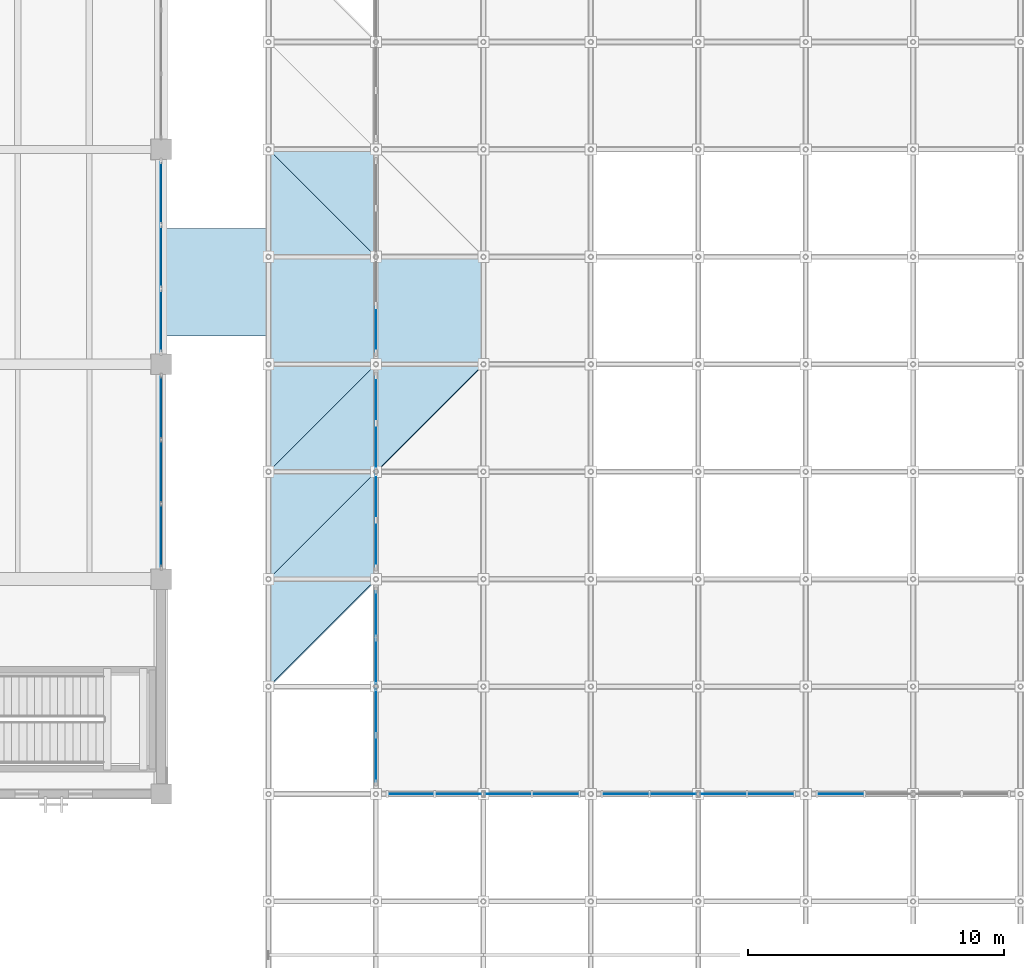
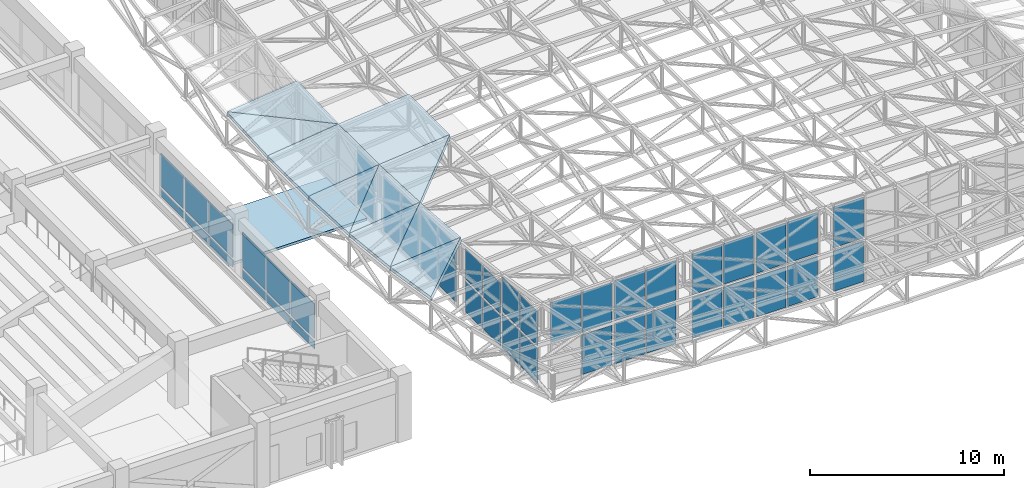
# One storey, part 62 of 132: 42 plates, 11 slabs, 12 elements without a shape of their own.
"""IFC4 building model written with IfcOpenShell, lengths in metres."""

from ifc_helpers import new_model, si_unit, direction, frame, origin, origin_2d, place, context, subcontext, project, spatial, polyline, rectangle, outline, extrude, material, layer, layer_set, type_object, element, aggregate, save


model = new_model("IFC4")

# Units and contexts
model_context = context("Model", 3, precision=1e-05, world=origin(), true_north=direction((0.0, 1.0)))
body_context = subcontext(model_context, "Body", "Model", "MODEL_VIEW")
ifc_project = project(units=[si_unit("LENGTHUNIT", "METRE"), si_unit("AREAUNIT", "SQUARE_METRE"), si_unit("VOLUMEUNIT", "CUBIC_METRE"), si_unit("PLANEANGLEUNIT", "RADIAN"), si_unit("MASSUNIT", "GRAM", prefix="KILO")], contexts=[model_context])

# Site, building, storey
site_placement = place(None, origin())
site = spatial("IfcSite", under=ifc_project, at=site_placement, CompositionType="ELEMENT")
building_placement = place(site_placement, origin())
building = spatial("IfcBuilding", under=site, at=building_placement, Name="Cumbredor Promenade Congress Hotel", CompositionType="ELEMENT")
storey_placement = place(building_placement, frame((0.0, 0.0, 7.56005859375)))
storey = spatial("IfcBuildingStorey", under=building, at=storey_placement, Name="L02", CompositionType="ELEMENT", Elevation=7.56005859375)

# Curtain wall, plates
ifc_material_1 = material(Name="Thermally broken anodized aluminium and low-E glass", Category="aluminium")
curtain_wall_type_1 = type_object("IfcCurtainWallType", Name="Stepped Pavilion Clerestory Curtain Wall CW-06", PredefinedType="NOTDEFINED", material=ifc_material_1)
curtain_wall_1_placement = place(storey_placement, origin())
curtain_wall_1 = element("IfcCurtainWall", 1, at=curtain_wall_1_placement, inside=storey, type_object=curtain_wall_type_1, Name="Thermal Spa and Hydrotherapy Pavilion S Glazed Clerestory 1", PredefinedType="NOTDEFINED")
ifc_material_2 = material(Name="Laminated low-E solar-control glass", Category="glass")
ifc_layer_1 = layer(ifc_material_2, 0.031982421875, Name="Laminated low-E solar-control glass", Category="glass")
ifc_layer_set_1 = layer_set([ifc_layer_1], Name="Laminated low-E solar-control glass")
plate_type_1 = type_object("IfcPlateType", Name="Clerestory Glazed Vision Panel PNL-07", PredefinedType="CURTAIN_PANEL", material=ifc_layer_set_1)
plate_1_placement = place(storey_placement, frame((76.969970703125, 8.39990234375, 2.83984375), z_axis=(0.0, 0.0, 1.0), x_axis=(1.0, 0.0, 0.0)))
plate_1 = element("IfcPlate", 2, at=plate_1_placement, type_object=plate_type_1, Name="Thermal Spa and Hydrotherapy Pavilion S Glazed Clerestory 1 Glazing Panel 1.2", PredefinedType="CURTAIN_PANEL", context=body_context, shape_type="SweptSolid", body=[
    extrude(rectangle(XDim=1.77490234375, YDim=0.031982421875, at=origin_2d()), origin(), (0.0, 0.0, 1.0), 2.5),
])
plate_2_placement = place(storey_placement, frame((78.830078125, 8.39990234375, 0.169921875), z_axis=(0.0, 0.0, 1.0), x_axis=(1.0, 0.0, 0.0)))
plate_2 = element("IfcPlate", 3, at=plate_2_placement, type_object=plate_type_1, Name="Thermal Spa and Hydrotherapy Pavilion S Glazed Clerestory 1 Glazing Panel 2.1", PredefinedType="CURTAIN_PANEL", context=body_context, shape_type="SweptSolid", body=[
    extrude(rectangle(XDim=1.77490234375, YDim=0.031982421875, at=origin_2d()), origin(), (0.0, 0.0, 1.0), 2.489990234375),
])
plate_3_placement = place(storey_placement, frame((78.830078125, 8.39990234375, 2.83984375), z_axis=(0.0, 0.0, 1.0), x_axis=(1.0, 0.0, 0.0)))
plate_3 = element("IfcPlate", 4, at=plate_3_placement, type_object=plate_type_1, Name="Thermal Spa and Hydrotherapy Pavilion S Glazed Clerestory 1 Glazing Panel 2.2", PredefinedType="CURTAIN_PANEL", context=body_context, shape_type="SweptSolid", body=[
    extrude(rectangle(XDim=1.77490234375, YDim=0.031982421875, at=origin_2d()), origin(), (0.0, 0.0, 1.0), 2.5),
])
aggregate(curtain_wall_1, [plate_1, plate_2, plate_3])

curtain_wall_2_placement = place(storey_placement, origin())
curtain_wall_2 = element("IfcCurtainWall", 5, at=curtain_wall_2_placement, inside=storey, type_object=curtain_wall_type_1, Name="Thermal Spa and Hydrotherapy Pavilion S Glazed Clerestory 2", PredefinedType="NOTDEFINED")
plate_4_placement = place(storey_placement, frame((80.77001953125, 8.39990234375, 0.169921875), z_axis=(0.0, 0.0, 1.0), x_axis=(1.0, 0.0, 0.0)))
plate_4 = element("IfcPlate", 6, at=plate_4_placement, type_object=plate_type_1, Name="Thermal Spa and Hydrotherapy Pavilion S Glazed Clerestory 2 Glazing Panel 1.1", PredefinedType="CURTAIN_PANEL", context=body_context, shape_type="SweptSolid", body=[
    extrude(rectangle(XDim=1.77490234375, YDim=0.031982421875, at=origin_2d()), origin(), (0.0, 0.0, 1.0), 2.530029296875),
])
plate_5_placement = place(storey_placement, frame((80.77001953125, 8.39990234375, 2.8798828125), z_axis=(0.0, 0.0, 1.0), x_axis=(1.0, 0.0, 0.0)))
plate_5 = element("IfcPlate", 7, at=plate_5_placement, type_object=plate_type_1, Name="Thermal Spa and Hydrotherapy Pavilion S Glazed Clerestory 2 Glazing Panel 1.2", PredefinedType="CURTAIN_PANEL", context=body_context, shape_type="SweptSolid", body=[
    extrude(rectangle(XDim=1.77490234375, YDim=0.031982421875, at=origin_2d()), origin(), (0.0, 0.0, 1.0), 2.52001953125),
])
plate_6_placement = place(storey_placement, frame((82.6298828125, 8.39990234375, 0.169921875), z_axis=(0.0, 0.0, 1.0), x_axis=(1.0, 0.0, 0.0)))
plate_6 = element("IfcPlate", 8, at=plate_6_placement, type_object=plate_type_1, Name="Thermal Spa and Hydrotherapy Pavilion S Glazed Clerestory 2 Glazing Panel 2.1", PredefinedType="CURTAIN_PANEL", context=body_context, shape_type="SweptSolid", body=[
    extrude(rectangle(XDim=1.77490234375, YDim=0.031982421875, at=origin_2d()), origin(), (0.0, 0.0, 1.0), 2.530029296875),
])
plate_7_placement = place(storey_placement, frame((82.6298828125, 8.39990234375, 2.8798828125), z_axis=(0.0, 0.0, 1.0), x_axis=(1.0, 0.0, 0.0)))
plate_7 = element("IfcPlate", 9, at=plate_7_placement, type_object=plate_type_1, Name="Thermal Spa and Hydrotherapy Pavilion S Glazed Clerestory 2 Glazing Panel 2.2", PredefinedType="CURTAIN_PANEL", context=body_context, shape_type="SweptSolid", body=[
    extrude(rectangle(XDim=1.77490234375, YDim=0.031982421875, at=origin_2d()), origin(), (0.0, 0.0, 1.0), 2.52001953125),
])
aggregate(curtain_wall_2, [plate_4, plate_5, plate_6, plate_7])

curtain_wall_3_placement = place(storey_placement, origin())
curtain_wall_3 = element("IfcCurtainWall", 10, at=curtain_wall_3_placement, inside=storey, type_object=curtain_wall_type_1, Name="Thermal Spa and Hydrotherapy Pavilion S Glazed Clerestory 3", PredefinedType="NOTDEFINED")
plate_8_placement = place(storey_placement, frame((85.3701171875, 8.39990234375, 0.169921875), z_axis=(0.0, 0.0, 1.0), x_axis=(1.0, 0.0, 0.0)))
plate_8 = element("IfcPlate", 11, at=plate_8_placement, type_object=plate_type_1, Name="Thermal Spa and Hydrotherapy Pavilion S Glazed Clerestory 3 Glazing Panel 1.1", PredefinedType="CURTAIN_PANEL", context=body_context, shape_type="SweptSolid", body=[
    extrude(rectangle(XDim=1.77490234375, YDim=0.031982421875, at=origin_2d()), origin(), (0.0, 0.0, 1.0), 2.550048828125),
])
plate_9_placement = place(storey_placement, frame((85.3701171875, 8.39990234375, 2.89990234375), z_axis=(0.0, 0.0, 1.0), x_axis=(1.0, 0.0, 0.0)))
plate_9 = element("IfcPlate", 12, at=plate_9_placement, type_object=plate_type_1, Name="Thermal Spa and Hydrotherapy Pavilion S Glazed Clerestory 3 Glazing Panel 1.2", PredefinedType="CURTAIN_PANEL", context=body_context, shape_type="SweptSolid", body=[
    extrude(rectangle(XDim=1.77490234375, YDim=0.031982421875, at=origin_2d()), origin(), (0.0, 0.0, 1.0), 2.550048828125),
])
plate_10_placement = place(storey_placement, frame((87.22998046875, 8.39990234375, 0.169921875), z_axis=(0.0, 0.0, 1.0), x_axis=(1.0, 0.0, 0.0)))
plate_10 = element("IfcPlate", 13, at=plate_10_placement, type_object=plate_type_1, Name="Thermal Spa and Hydrotherapy Pavilion S Glazed Clerestory 3 Glazing Panel 2.1", PredefinedType="CURTAIN_PANEL", context=body_context, shape_type="SweptSolid", body=[
    extrude(rectangle(XDim=1.77490234375, YDim=0.031982421875, at=origin_2d()), origin(), (0.0, 0.0, 1.0), 2.550048828125),
])
plate_11_placement = place(storey_placement, frame((87.22998046875, 8.39990234375, 2.89990234375), z_axis=(0.0, 0.0, 1.0), x_axis=(1.0, 0.0, 0.0)))
plate_11 = element("IfcPlate", 14, at=plate_11_placement, type_object=plate_type_1, Name="Thermal Spa and Hydrotherapy Pavilion S Glazed Clerestory 3 Glazing Panel 2.2", PredefinedType="CURTAIN_PANEL", context=body_context, shape_type="SweptSolid", body=[
    extrude(rectangle(XDim=1.77490234375, YDim=0.031982421875, at=origin_2d()), origin(), (0.0, 0.0, 1.0), 2.550048828125),
])
aggregate(curtain_wall_3, [plate_8, plate_9, plate_10, plate_11])

curtain_wall_4_placement = place(storey_placement, origin())
curtain_wall_4 = element("IfcCurtainWall", 15, at=curtain_wall_4_placement, inside=storey, type_object=curtain_wall_type_1, Name="Thermal Spa and Hydrotherapy Pavilion S Glazed Clerestory 4", PredefinedType="NOTDEFINED")
plate_12_placement = place(storey_placement, frame((89.169921875, 8.39990234375, 0.169921875), z_axis=(0.0, 0.0, 1.0), x_axis=(1.0, 0.0, 0.0)))
plate_12 = element("IfcPlate", 16, at=plate_12_placement, type_object=plate_type_1, Name="Thermal Spa and Hydrotherapy Pavilion S Glazed Clerestory 4 Glazing Panel 1.1", PredefinedType="CURTAIN_PANEL", context=body_context, shape_type="SweptSolid", body=[
    extrude(rectangle(XDim=1.77490234375, YDim=0.031982421875, at=origin_2d()), origin(), (0.0, 0.0, 1.0), 2.56005859375),
])
plate_13_placement = place(storey_placement, frame((89.169921875, 8.39990234375, 2.909912109375), z_axis=(0.0, 0.0, 1.0), x_axis=(1.0, 0.0, 0.0)))
plate_13 = element("IfcPlate", 17, at=plate_13_placement, type_object=plate_type_1, Name="Thermal Spa and Hydrotherapy Pavilion S Glazed Clerestory 4 Glazing Panel 1.2", PredefinedType="CURTAIN_PANEL", context=body_context, shape_type="SweptSolid", body=[
    extrude(rectangle(XDim=1.77490234375, YDim=0.031982421875, at=origin_2d()), origin(), (0.0, 0.0, 1.0), 2.56005859375),
])
plate_14_placement = place(storey_placement, frame((91.030029296875, 8.39990234375, 0.169921875), z_axis=(0.0, 0.0, 1.0), x_axis=(1.0, 0.0, 0.0)))
plate_14 = element("IfcPlate", 18, at=plate_14_placement, type_object=plate_type_1, Name="Thermal Spa and Hydrotherapy Pavilion S Glazed Clerestory 4 Glazing Panel 2.1", PredefinedType="CURTAIN_PANEL", context=body_context, shape_type="SweptSolid", body=[
    extrude(rectangle(XDim=1.77490234375, YDim=0.031982421875, at=origin_2d()), origin(), (0.0, 0.0, 1.0), 2.56005859375),
])
plate_15_placement = place(storey_placement, frame((91.030029296875, 8.39990234375, 2.909912109375), z_axis=(0.0, 0.0, 1.0), x_axis=(1.0, 0.0, 0.0)))
plate_15 = element("IfcPlate", 19, at=plate_15_placement, type_object=plate_type_1, Name="Thermal Spa and Hydrotherapy Pavilion S Glazed Clerestory 4 Glazing Panel 2.2", PredefinedType="CURTAIN_PANEL", context=body_context, shape_type="SweptSolid", body=[
    extrude(rectangle(XDim=1.77490234375, YDim=0.031982421875, at=origin_2d()), origin(), (0.0, 0.0, 1.0), 2.56005859375),
])
aggregate(curtain_wall_4, [plate_12, plate_13, plate_14, plate_15])

curtain_wall_5_placement = place(storey_placement, origin())
curtain_wall_5 = element("IfcCurtainWall", 20, at=curtain_wall_5_placement, inside=storey, type_object=curtain_wall_type_1, Name="Thermal Spa and Hydrotherapy Pavilion S Glazed Clerestory 5", PredefinedType="NOTDEFINED")
plate_16_placement = place(storey_placement, frame((93.77001953125, 8.39990234375, 0.169921875), z_axis=(0.0, 0.0, 1.0), x_axis=(1.0, 0.0, 0.0)))
plate_16 = element("IfcPlate", 21, at=plate_16_placement, type_object=plate_type_1, Name="Thermal Spa and Hydrotherapy Pavilion S Glazed Clerestory 5 Glazing Panel 1.1", PredefinedType="CURTAIN_PANEL", context=body_context, shape_type="SweptSolid", body=[
    extrude(rectangle(XDim=1.77490234375, YDim=0.031982421875, at=origin_2d()), origin(), (0.0, 0.0, 1.0), 2.56005859375),
])
plate_17_placement = place(storey_placement, frame((93.77001953125, 8.39990234375, 2.909912109375), z_axis=(0.0, 0.0, 1.0), x_axis=(1.0, 0.0, 0.0)))
plate_17 = element("IfcPlate", 22, at=plate_17_placement, type_object=plate_type_1, Name="Thermal Spa and Hydrotherapy Pavilion S Glazed Clerestory 5 Glazing Panel 1.2", PredefinedType="CURTAIN_PANEL", context=body_context, shape_type="SweptSolid", body=[
    extrude(rectangle(XDim=1.77490234375, YDim=0.031982421875, at=origin_2d()), origin(), (0.0, 0.0, 1.0), 2.56005859375),
])
aggregate(curtain_wall_5, [plate_16, plate_17])

curtain_wall_6_placement = place(storey_placement, origin())
curtain_wall_6 = element("IfcCurtainWall", 23, at=curtain_wall_6_placement, inside=storey, type_object=curtain_wall_type_1, Name="Thermal Spa and Hydrotherapy Pavilion W Glazed Clerestory 1", PredefinedType="NOTDEFINED")
plate_18_placement = place(storey_placement, frame((75.60009765625, 9.77001953125, 0.169921875), z_axis=(0.0, 0.0, 1.0), x_axis=(0.0, 1.0, 0.0)))
plate_18 = element("IfcPlate", 24, at=plate_18_placement, type_object=plate_type_1, Name="Thermal Spa and Hydrotherapy Pavilion W Glazed Clerestory 1 Glazing Panel 1.1", PredefinedType="CURTAIN_PANEL", context=body_context, shape_type="SweptSolid", body=[
    extrude(rectangle(XDim=1.77490234375, YDim=0.031982421875, at=origin_2d()), origin(), (0.0, 0.0, 1.0), 2.139892578125),
])
plate_19_placement = place(storey_placement, frame((75.60009765625, 9.77001953125, 2.489990234375), z_axis=(0.0, 0.0, 1.0), x_axis=(0.0, 1.0, 0.0)))
plate_19 = element("IfcPlate", 25, at=plate_19_placement, type_object=plate_type_1, Name="Thermal Spa and Hydrotherapy Pavilion W Glazed Clerestory 1 Glazing Panel 1.2", PredefinedType="CURTAIN_PANEL", context=body_context, shape_type="SweptSolid", body=[
    extrude(rectangle(XDim=1.77490234375, YDim=0.031982421875, at=origin_2d()), origin(), (0.0, 0.0, 1.0), 2.14990234375),
])
plate_20_placement = place(storey_placement, frame((75.60009765625, 11.6298828125, 0.169921875), z_axis=(0.0, 0.0, 1.0), x_axis=(0.0, 1.0, 0.0)))
plate_20 = element("IfcPlate", 26, at=plate_20_placement, type_object=plate_type_1, Name="Thermal Spa and Hydrotherapy Pavilion W Glazed Clerestory 1 Glazing Panel 2.1", PredefinedType="CURTAIN_PANEL", context=body_context, shape_type="SweptSolid", body=[
    extrude(rectangle(XDim=1.77490234375, YDim=0.031982421875, at=origin_2d()), origin(), (0.0, 0.0, 1.0), 2.139892578125),
])
plate_21_placement = place(storey_placement, frame((75.60009765625, 11.6298828125, 2.489990234375), z_axis=(0.0, 0.0, 1.0), x_axis=(0.0, 1.0, 0.0)))
plate_21 = element("IfcPlate", 27, at=plate_21_placement, type_object=plate_type_1, Name="Thermal Spa and Hydrotherapy Pavilion W Glazed Clerestory 1 Glazing Panel 2.2", PredefinedType="CURTAIN_PANEL", context=body_context, shape_type="SweptSolid", body=[
    extrude(rectangle(XDim=1.77490234375, YDim=0.031982421875, at=origin_2d()), origin(), (0.0, 0.0, 1.0), 2.14990234375),
])
aggregate(curtain_wall_6, [plate_18, plate_19, plate_20, plate_21])

curtain_wall_7_placement = place(storey_placement, origin())
curtain_wall_7 = element("IfcCurtainWall", 28, at=curtain_wall_7_placement, inside=storey, type_object=curtain_wall_type_1, Name="Thermal Spa and Hydrotherapy Pavilion W Glazed Clerestory 2", PredefinedType="NOTDEFINED")
plate_22_placement = place(storey_placement, frame((75.60009765625, 13.570068359375, 0.169921875), z_axis=(0.0, 0.0, 1.0), x_axis=(0.0, 1.0, 0.0)))
plate_22 = element("IfcPlate", 29, at=plate_22_placement, type_object=plate_type_1, Name="Thermal Spa and Hydrotherapy Pavilion W Glazed Clerestory 2 Glazing Panel 1.1", PredefinedType="CURTAIN_PANEL", context=body_context, shape_type="SweptSolid", body=[
    extrude(rectangle(XDim=1.77490234375, YDim=0.031982421875, at=origin_2d()), origin(), (0.0, 0.0, 1.0), 1.8798828125),
])
plate_23_placement = place(storey_placement, frame((75.60009765625, 13.570068359375, 2.22998046875), z_axis=(0.0, 0.0, 1.0), x_axis=(0.0, 1.0, 0.0)))
plate_23 = element("IfcPlate", 30, at=plate_23_placement, type_object=plate_type_1, Name="Thermal Spa and Hydrotherapy Pavilion W Glazed Clerestory 2 Glazing Panel 1.2", PredefinedType="CURTAIN_PANEL", context=body_context, shape_type="SweptSolid", body=[
    extrude(rectangle(XDim=1.77490234375, YDim=0.031982421875, at=origin_2d()), origin(), (0.0, 0.0, 1.0), 1.8798828125),
])
plate_24_placement = place(storey_placement, frame((75.60009765625, 15.429931640625, 0.169921875), z_axis=(0.0, 0.0, 1.0), x_axis=(0.0, 1.0, 0.0)))
plate_24 = element("IfcPlate", 31, at=plate_24_placement, type_object=plate_type_1, Name="Thermal Spa and Hydrotherapy Pavilion W Glazed Clerestory 2 Glazing Panel 2.1", PredefinedType="CURTAIN_PANEL", context=body_context, shape_type="SweptSolid", body=[
    extrude(rectangle(XDim=1.77490234375, YDim=0.031982421875, at=origin_2d()), origin(), (0.0, 0.0, 1.0), 1.8798828125),
])
plate_25_placement = place(storey_placement, frame((75.60009765625, 15.429931640625, 2.22998046875), z_axis=(0.0, 0.0, 1.0), x_axis=(0.0, 1.0, 0.0)))
plate_25 = element("IfcPlate", 32, at=plate_25_placement, type_object=plate_type_1, Name="Thermal Spa and Hydrotherapy Pavilion W Glazed Clerestory 2 Glazing Panel 2.2", PredefinedType="CURTAIN_PANEL", context=body_context, shape_type="SweptSolid", body=[
    extrude(rectangle(XDim=1.77490234375, YDim=0.031982421875, at=origin_2d()), origin(), (0.0, 0.0, 1.0), 1.8798828125),
])
aggregate(curtain_wall_7, [plate_22, plate_23, plate_24, plate_25])

curtain_wall_8_placement = place(storey_placement, origin())
curtain_wall_8 = element("IfcCurtainWall", 33, at=curtain_wall_8_placement, inside=storey, type_object=curtain_wall_type_1, Name="Thermal Spa and Hydrotherapy Pavilion W Glazed Clerestory 3", PredefinedType="NOTDEFINED")
plate_26_placement = place(storey_placement, frame((75.60009765625, 18.169921875, 0.169921875), z_axis=(0.0, 0.0, 1.0), x_axis=(0.0, 1.0, 0.0)))
plate_26 = element("IfcPlate", 34, at=plate_26_placement, type_object=plate_type_1, Name="Thermal Spa and Hydrotherapy Pavilion W Glazed Clerestory 3 Glazing Panel 1.1", PredefinedType="CURTAIN_PANEL", context=body_context, shape_type="SweptSolid", body=[
    extrude(rectangle(XDim=1.77490234375, YDim=0.031982421875, at=origin_2d()), origin(), (0.0, 0.0, 1.0), 3.590087890625),
])
plate_27_placement = place(storey_placement, frame((75.60009765625, 20.030029296875, 0.169921875), z_axis=(0.0, 0.0, 1.0), x_axis=(0.0, 1.0, 0.0)))
plate_27 = element("IfcPlate", 35, at=plate_27_placement, type_object=plate_type_1, Name="Thermal Spa and Hydrotherapy Pavilion W Glazed Clerestory 3 Glazing Panel 2.1", PredefinedType="CURTAIN_PANEL", context=body_context, shape_type="SweptSolid", body=[
    extrude(rectangle(XDim=1.77490234375, YDim=0.031982421875, at=origin_2d()), origin(), (0.0, 0.0, 1.0), 3.590087890625),
])
aggregate(curtain_wall_8, [plate_26, plate_27])

curtain_wall_9_placement = place(storey_placement, origin())
curtain_wall_9 = element("IfcCurtainWall", 36, at=curtain_wall_9_placement, inside=storey, type_object=curtain_wall_type_1, Name="Thermal Spa and Hydrotherapy Pavilion W Glazed Clerestory 4", PredefinedType="NOTDEFINED")
plate_28_placement = place(storey_placement, frame((75.60009765625, 21.969970703125, 0.169921875), z_axis=(0.0, 0.0, 1.0), x_axis=(0.0, 1.0, 0.0)))
plate_28 = element("IfcPlate", 37, at=plate_28_placement, type_object=plate_type_1, Name="Thermal Spa and Hydrotherapy Pavilion W Glazed Clerestory 4 Glazing Panel 1.1", PredefinedType="CURTAIN_PANEL", context=body_context, shape_type="SweptSolid", body=[
    extrude(rectangle(XDim=1.77490234375, YDim=0.031982421875, at=origin_2d()), origin(), (0.0, 0.0, 1.0), 3.409912109375),
])
plate_29_placement = place(storey_placement, frame((75.60009765625, 23.830078125, 0.169921875), z_axis=(0.0, 0.0, 1.0), x_axis=(0.0, 1.0, 0.0)))
plate_29 = element("IfcPlate", 38, at=plate_29_placement, type_object=plate_type_1, Name="Thermal Spa and Hydrotherapy Pavilion W Glazed Clerestory 4 Glazing Panel 2.1", PredefinedType="CURTAIN_PANEL", context=body_context, shape_type="SweptSolid", body=[
    extrude(rectangle(XDim=1.77490234375, YDim=0.031982421875, at=origin_2d()), origin(), (0.0, 0.0, 1.0), 3.409912109375),
])
aggregate(curtain_wall_9, [plate_28, plate_29])

# Curtain wall, plate
curtain_wall_10_placement = place(storey_placement, origin())
curtain_wall_10 = element("IfcCurtainWall", 39, at=curtain_wall_10_placement, inside=storey, type_object=curtain_wall_type_1, Name="Thermal Spa and Hydrotherapy Pavilion W Glazed Clerestory 5", PredefinedType="NOTDEFINED")
plate_30_placement = place(storey_placement, frame((75.60009765625, 26.570068359375, 0.169921875), z_axis=(0.0, 0.0, 1.0), x_axis=(0.0, 1.0, 0.0)))
plate_30 = element("IfcPlate", 40, at=plate_30_placement, type_object=plate_type_1, Name="Thermal Spa and Hydrotherapy Pavilion W Glazed Clerestory 5 Glazing Panel 1.1", PredefinedType="CURTAIN_PANEL", context=body_context, shape_type="SweptSolid", body=[
    extrude(rectangle(XDim=1.77490234375, YDim=0.031982421875, at=origin_2d()), origin(), (0.0, 0.0, 1.0), 3.409912109375),
])
aggregate(curtain_wall_10, [plate_30])

# Curtain wall, plates
curtain_wall_type_2 = type_object("IfcCurtainWallType", Name="Unitised Bronze Curtain Wall CW-01", PredefinedType="NOTDEFINED", material=ifc_material_1)
curtain_wall_11_placement = place(storey_placement, origin())
curtain_wall_11 = element("IfcCurtainWall", 41, at=curtain_wall_11_placement, inside=storey, type_object=curtain_wall_type_2, Name="L02 Plenary Congress Hall East Curtain Wall 2", PredefinedType="NOTDEFINED")
ifc_layer_2 = layer(ifc_material_2, 0.031982421875, Name="Laminated low-E solar-control glass", Category="glass")
ifc_layer_set_2 = layer_set([ifc_layer_2], Name="Laminated low-E solar-control glass")
plate_type_2 = type_object("IfcPlateType", Name="Glazed Vision Panel PNL-02", PredefinedType="CURTAIN_PANEL", material=ifc_layer_set_2)
plate_31_placement = place(storey_placement, frame((67.199951171875, 18.50341796875, 0.794921875), z_axis=(0.0, 0.0, 1.0), x_axis=(0.0, 1.0, 0.0)))
plate_31 = element("IfcPlate", 42, at=plate_31_placement, type_object=plate_type_2, Name="L02 Plenary Congress Hall East Curtain Wall 2 Glazing Panel 1.2", PredefinedType="CURTAIN_PANEL", context=body_context, shape_type="SweptSolid", body=[
    extrude(rectangle(XDim=2.421630859375, YDim=0.031982421875, at=origin_2d()), origin(), (0.0, 0.0, 1.0), 2.18994140625),
])
plate_32_placement = place(storey_placement, frame((67.199951171875, 21.0, 0.794921875), z_axis=(0.0, 0.0, 1.0), x_axis=(0.0, 1.0, 0.0)))
plate_32 = element("IfcPlate", 43, at=plate_32_placement, type_object=plate_type_2, Name="L02 Plenary Congress Hall East Curtain Wall 2 Glazing Panel 2.2", PredefinedType="CURTAIN_PANEL", context=body_context, shape_type="SweptSolid", body=[
    extrude(rectangle(XDim=2.421630859375, YDim=0.031982421875, at=origin_2d()), origin(), (0.0, 0.0, 1.0), 2.18994140625),
])
plate_33_placement = place(storey_placement, frame((67.199951171875, 23.49658203125, 0.794921875), z_axis=(0.0, 0.0, 1.0), x_axis=(0.0, 1.0, 0.0)))
plate_33 = element("IfcPlate", 44, at=plate_33_placement, type_object=plate_type_2, Name="L02 Plenary Congress Hall East Curtain Wall 2 Glazing Panel 3.2", PredefinedType="CURTAIN_PANEL", context=body_context, shape_type="SweptSolid", body=[
    extrude(rectangle(XDim=2.421630859375, YDim=0.031982421875, at=origin_2d()), origin(), (0.0, 0.0, 1.0), 2.18994140625),
])

curtain_wall_12_placement = place(storey_placement, origin())
curtain_wall_12 = element("IfcCurtainWall", 45, at=curtain_wall_12_placement, inside=storey, type_object=curtain_wall_type_2, Name="L02 Plenary Congress Hall East Curtain Wall 3", PredefinedType="NOTDEFINED")
ifc_layer_3 = layer(ifc_material_2, 0.028076171875, Name="Laminated low-E solar-control glass", Category="glass")
ifc_layer_set_3 = layer_set([ifc_layer_3], Name="Laminated low-E solar-control glass")
plate_type_3 = type_object("IfcPlateType", Name="Glazed Vision Panel PNL-03", PredefinedType="CURTAIN_PANEL", material=ifc_layer_set_3)
plate_34_placement = place(storey_placement, frame((67.199951171875, 26.9033203125, 0.81005859375), z_axis=(0.0, 0.0, 1.0), x_axis=(0.0, 1.0, 0.0)))
plate_34 = element("IfcPlate", 46, at=plate_34_placement, type_object=plate_type_3, Name="L02 Plenary Congress Hall East Curtain Wall 3 Glazing Panel 1.2", PredefinedType="CURTAIN_PANEL", context=body_context, shape_type="SweptSolid", body=[
    extrude(rectangle(XDim=2.416748046875, YDim=0.028076171875, at=origin_2d()), origin(), (0.0, 0.0, 1.0), 2.050048828125),
])
plate_35_placement = place(storey_placement, frame((67.199951171875, 29.39990234375, 0.81005859375), z_axis=(0.0, 0.0, 1.0), x_axis=(0.0, 1.0, 0.0)))
plate_35 = element("IfcPlate", 47, at=plate_35_placement, type_object=plate_type_3, Name="L02 Plenary Congress Hall East Curtain Wall 3 Glazing Panel 2.2", PredefinedType="CURTAIN_PANEL", context=body_context, shape_type="SweptSolid", body=[
    extrude(rectangle(XDim=2.41650390625, YDim=0.028076171875, at=origin_2d()), origin(), (0.0, 0.0, 1.0), 2.050048828125),
])
plate_36_placement = place(storey_placement, frame((67.199951171875, 31.896728515625, 0.81005859375), z_axis=(0.0, 0.0, 1.0), x_axis=(0.0, 1.0, 0.0)))
plate_36 = element("IfcPlate", 48, at=plate_36_placement, type_object=plate_type_3, Name="L02 Plenary Congress Hall East Curtain Wall 3 Glazing Panel 3.2", PredefinedType="CURTAIN_PANEL", context=body_context, shape_type="SweptSolid", body=[
    extrude(rectangle(XDim=2.416748046875, YDim=0.028076171875, at=origin_2d()), origin(), (0.0, 0.0, 1.0), 2.050048828125),
])
ifc_material_3 = material(Name="Thermally broken anodized aluminium", Category="aluminium")
ifc_layer_4 = layer(ifc_material_3, 0.0400390625, Name="Thermally broken anodized aluminium", Category="aluminium")
ifc_layer_set_4 = layer_set([ifc_layer_4], Name="Thermally broken anodized aluminium")
plate_type_4 = type_object("IfcPlateType", Name="Insulated Spandrel Panel PNL-05", PredefinedType="CURTAIN_PANEL", material=ifc_layer_set_4)
plate_37_placement = place(storey_placement, frame((67.199951171875, 26.9033203125, 0.18017578125), z_axis=(0.0, 0.0, 1.0), x_axis=(0.0, 1.0, 0.0)))
plate_37 = element("IfcPlate", 49, at=plate_37_placement, type_object=plate_type_4, Name="L02 Plenary Congress Hall East Curtain Wall 3 Spandrel Panel 1.1", PredefinedType="CURTAIN_PANEL", context=body_context, shape_type="SweptSolid", body=[
    extrude(rectangle(XDim=2.416748046875, YDim=0.0400390625, at=origin_2d()), origin(), (0.0, 0.0, 1.0), 0.449951171875),
])
plate_38_placement = place(storey_placement, frame((67.199951171875, 29.39990234375, 0.18017578125), z_axis=(0.0, 0.0, 1.0), x_axis=(0.0, 1.0, 0.0)))
plate_38 = element("IfcPlate", 50, at=plate_38_placement, type_object=plate_type_4, Name="L02 Plenary Congress Hall East Curtain Wall 3 Spandrel Panel 2.1", PredefinedType="CURTAIN_PANEL", context=body_context, shape_type="SweptSolid", body=[
    extrude(rectangle(XDim=2.41650390625, YDim=0.0400390625, at=origin_2d()), origin(), (0.0, 0.0, 1.0), 0.449951171875),
])
plate_39_placement = place(storey_placement, frame((67.199951171875, 31.896728515625, 0.18017578125), z_axis=(0.0, 0.0, 1.0), x_axis=(0.0, 1.0, 0.0)))
plate_39 = element("IfcPlate", 51, at=plate_39_placement, type_object=plate_type_4, Name="L02 Plenary Congress Hall East Curtain Wall 3 Spandrel Panel 3.1", PredefinedType="CURTAIN_PANEL", context=body_context, shape_type="SweptSolid", body=[
    extrude(rectangle(XDim=2.416748046875, YDim=0.0400390625, at=origin_2d()), origin(), (0.0, 0.0, 1.0), 0.449951171875),
])
aggregate(curtain_wall_12, [plate_37, plate_34, plate_38, plate_35, plate_39, plate_36])

# Plate
ifc_layer_5 = layer(ifc_material_3, 0.0400390625, Name="Thermally broken anodized aluminium", Category="aluminium")
ifc_layer_set_5 = layer_set([ifc_layer_5], Name="Thermally broken anodized aluminium")
plate_type_5 = type_object("IfcPlateType", Name="Insulated Spandrel Panel PNL-06", PredefinedType="CURTAIN_PANEL", material=ifc_layer_set_5)
plate_40_placement = place(storey_placement, frame((67.199951171875, 18.50341796875, 0.14501953125), z_axis=(0.0, 0.0, 1.0), x_axis=(0.0, 1.0, 0.0)))
plate_40 = element("IfcPlate", 52, at=plate_40_placement, type_object=plate_type_5, Name="L02 Plenary Congress Hall East Curtain Wall 2 Spandrel Panel 1.1", PredefinedType="CURTAIN_PANEL", context=body_context, shape_type="SweptSolid", body=[
    extrude(rectangle(XDim=2.421630859375, YDim=0.0400390625, at=origin_2d()), origin(), (0.0, 0.0, 1.0), 0.5),
])

plate_41_placement = place(storey_placement, frame((67.199951171875, 21.0, 0.14501953125), z_axis=(0.0, 0.0, 1.0), x_axis=(0.0, 1.0, 0.0)))
plate_41 = element("IfcPlate", 53, at=plate_41_placement, type_object=plate_type_5, Name="L02 Plenary Congress Hall East Curtain Wall 2 Spandrel Panel 2.1", PredefinedType="CURTAIN_PANEL", context=body_context, shape_type="SweptSolid", body=[
    extrude(rectangle(XDim=2.421630859375, YDim=0.0400390625, at=origin_2d()), origin(), (0.0, 0.0, 1.0), 0.5),
])

plate_42_placement = place(storey_placement, frame((67.199951171875, 23.49658203125, 0.14501953125), z_axis=(0.0, 0.0, 1.0), x_axis=(0.0, 1.0, 0.0)))
plate_42 = element("IfcPlate", 54, at=plate_42_placement, type_object=plate_type_5, Name="L02 Plenary Congress Hall East Curtain Wall 2 Spandrel Panel 3.1", PredefinedType="CURTAIN_PANEL", context=body_context, shape_type="SweptSolid", body=[
    extrude(rectangle(XDim=2.421630859375, YDim=0.0400390625, at=origin_2d()), origin(), (0.0, 0.0, 1.0), 0.5),
])

aggregate(curtain_wall_11, [plate_40, plate_31, plate_41, plate_32, plate_42, plate_33])

# Slabs
ifc_material_4 = material(Name="Concrete C40/50", Category="concrete")
ifc_layer_6 = layer(ifc_material_4, 0.1650390625, Name="Concrete C40/50", Category="concrete")
ifc_layer_set_6 = layer_set([ifc_layer_6], Name="Concrete C40/50")
slab_type_1 = type_object("IfcSlabType", Name="Link Bridge Canopy Roof Slab 165mm", PredefinedType="ROOF", material=ifc_layer_set_6)
slab_1_placement = place(storey_placement, frame((0.0, 0.0, -0.1650390625)))
element("IfcSlab", 55, at=slab_1_placement, inside=storey, type_object=slab_type_1, Name="Central Plenary-to-Spa Pool Bridge Canopy Roof Slab", PredefinedType="ROOF", context=body_context, shape_type="SweptSolid", body=[
    extrude(outline(polyline([(67.280029296875, 26.300048828125), (75.52001953125, 26.300048828125), (75.52001953125, 30.5), (67.280029296875, 30.5), (67.280029296875, 26.300048828125)])), origin(), (0.0, 0.0, 1.0), 0.1650390625),
])
ifc_layer_7 = layer(ifc_material_4, 0.2451171875, Name="Concrete C40/50", Category="concrete")
ifc_layer_set_7 = layer_set([ifc_layer_7], Name="Concrete C40/50")
slab_type_2 = type_object("IfcSlabType", Name="Spa Catenary Roof Deck 245mm", PredefinedType="ROOF", material=ifc_layer_set_7)
slab_2_placement = place(storey_placement, frame((71.39990234375, 12.60009765625, 4.802734375), z_axis=(-0.092767491882, 0.156279153389, 0.983346845557), x_axis=(0.706391203766, 0.706350144058, -0.04561733477)))
element("IfcSlab", 56, at=slab_2_placement, inside=storey, type_object=slab_type_2, Name="Thermal Spa and Hydrotherapy Pavilion Sweeping Roof Deck Facet 1.4.2", PredefinedType="ROOF", context=body_context, shape_type="SweptSolid", body=[
    extrude(outline(polyline([(0.0, 0.0), (5.94599039471348, 1.0408340855860843e-16), (2.997084795287059, 3.017051996926143), (0.0, 0.0)])), origin(), (0.0, 0.0, -1.0), 0.2451171875),
])
slab_3_placement = place(storey_placement, frame((71.39990234375, 16.800048828125, 4.13525390625), z_axis=(-0.093594366401, 0.083392064634, 0.992111817354), x_axis=(0.995579604811, 0.0, 0.093921512358)))
element("IfcSlab", 57, at=slab_3_placement, inside=storey, type_object=slab_type_2, Name="Thermal Spa and Hydrotherapy Pavilion Sweeping Roof Deck Facet 1.5.1", PredefinedType="ROOF", context=body_context, shape_type="SweptSolid", body=[
    extrude(outline(polyline([(0.0, 0.0), (4.218844271418955, 0.0), (4.18568740939019, 4.214631511065917), (0.0, 0.0)])), origin(), (0.0, 0.0, -1.0), 0.2451171875),
])
slab_4_placement = place(storey_placement, frame((71.39990234375, 16.800048828125, 4.13525390625), z_axis=(-0.114839908372, 0.104682661268, 0.987852891819), x_axis=(0.707108619571, 0.707067518164, 0.007274949178)))
element("IfcSlab", 58, at=slab_4_placement, inside=storey, type_object=slab_type_2, Name="Thermal Spa and Hydrotherapy Pavilion Sweeping Roof Deck Facet 1.5.2", PredefinedType="ROOF", context=body_context, shape_type="SweptSolid", body=[
    extrude(outline(polyline([(0.0, 0.0), (5.939957732441985, -5.681219383824043e-16), (2.966411201811016, 3.0063400127765094), (0.0, 0.0)])), origin(), (0.0, 0.0, -1.0), 0.2451171875),
])
slab_5_placement = place(storey_placement, frame((71.39990234375, 21.0, 3.690185546875), z_axis=(-0.115373871011, 0.041710078811, 0.992446038439), x_axis=(0.993310460907, 0.0, 0.115474361882)))
element("IfcSlab", 59, at=slab_5_placement, inside=storey, type_object=slab_type_2, Name="Thermal Spa and Hydrotherapy Pavilion Sweeping Roof Deck Facet 1.6.1", PredefinedType="ROOF", context=body_context, shape_type="SweptSolid", body=[
    extrude(outline(polyline([(0.0, 0.0), (4.228481907522904, -3.469446951953614e-18), (4.208099103899722, 4.203609337677497), (0.0, 0.0)])), origin(), (0.0, 0.0, -1.0), 0.2451171875),
])
slab_6_placement = place(storey_placement, frame((71.39990234375, 21.0, 3.690185546875), z_axis=(-0.12598976481, 0.052460396545, 0.990643470658), x_axis=(0.706155279951, 0.706114233957, 0.052415734277)))
element("IfcSlab", 60, at=slab_6_placement, inside=storey, type_object=slab_type_2, Name="Thermal Spa and Hydrotherapy Pavilion Sweeping Roof Deck Facet 1.6.2", PredefinedType="ROOF", context=body_context, shape_type="SweptSolid", body=[
    extrude(outline(polyline([(0.0, 0.0), (5.947976927666338, -1.8735013540549517e-16), (2.953987410361775, 2.9938295495827685), (0.0, 0.0)])), origin(), (0.0, 0.0, -1.0), 0.2451171875),
])
slab_7_placement = place(storey_placement, frame((71.39990234375, 25.199951171875, 3.4677734375), z_axis=(-0.126163491264, 0.0, 0.99200946239), x_axis=(0.99200946239, 0.0, 0.126163491264)))
element("IfcSlab", 61, at=slab_7_placement, inside=storey, type_object=slab_type_2, Name="Thermal Spa and Hydrotherapy Pavilion Sweeping Roof Deck Facet 1.7", PredefinedType="ROOF", context=body_context, shape_type="SweptSolid", body=[
    extrude(outline(polyline([(0.0, 0.0), (4.234027468225091, 0.0), (4.234027468225091, 4.199951171875), (0.0, 4.199951171875), (0.0, 0.0)])), origin(), (0.0, 0.0, -1.0), 0.2451171875),
])
slab_8_placement = place(storey_placement, frame((71.39990234375, 29.39990234375, 3.4677734375), z_axis=(-0.125989784964, -0.052457355623, 0.990643629125), x_axis=(0.99200946239, 0.0, 0.126163491264)))
element("IfcSlab", 62, at=slab_8_placement, inside=storey, type_object=slab_type_2, Name="Thermal Spa and Hydrotherapy Pavilion Sweeping Roof Deck Facet 1.8.1", PredefinedType="ROOF", context=body_context, shape_type="SweptSolid", body=[
    extrude(outline(polyline([(0.0, 0.0), (4.234027468225091, -3.469446951953614e-18), (0.028060288218195666, 4.205986261243457), (0.0, 0.0)])), origin(), (0.0, 0.0, -1.0), 0.2451171875),
])
slab_9_placement = place(storey_placement, frame((75.60009765625, 29.39990234375, 4.001953125), z_axis=(-0.115373882678, -0.041707658588, 0.992446138796), x_axis=(0.0, 0.999118113007, 0.041988049041)))
element("IfcSlab", 63, at=slab_9_placement, inside=storey, type_object=slab_type_2, Name="Thermal Spa and Hydrotherapy Pavilion Sweeping Roof Deck Facet 1.8.2", PredefinedType="ROOF", context=body_context, shape_type="SweptSolid", body=[
    extrude(outline(polyline([(0.0, 0.0), (4.20390267959497, 3.469446951953614e-18), (4.183400702524102, 4.228432204870349), (0.0, 0.0)])), origin(), (0.0, 0.0, -1.0), 0.2451171875),
])
slab_10_placement = place(storey_placement, frame((75.60009765625, 21.0, 4.178466796875), z_axis=(-0.098369549328, 0.041786829709, 0.994272242712), x_axis=(0.706534966945, 0.706534966945, 0.040207971438)))
element("IfcSlab", 64, at=slab_10_placement, inside=storey, type_object=slab_type_2, Name="Thermal Spa and Hydrotherapy Pavilion Sweeping Roof Deck Facet 2.6.2", PredefinedType="ROOF", context=body_context, shape_type="SweptSolid", body=[
    extrude(outline(polyline([(0.0, 0.0), (5.9444349796773395, -5.204170427930421e-16), (2.960315105715628, 2.984506893502652), (0.0, 0.0)])), origin(), (0.0, 0.0, -1.0), 0.2451171875),
])
slab_11_placement = place(storey_placement, frame((75.60009765625, 25.199951171875, 4.001953125), z_axis=(-0.098455545426, 0.0, 0.995141450034), x_axis=(0.995141450034, 0.0, 0.098455545426)))
element("IfcSlab", 65, at=slab_11_placement, inside=storey, type_object=slab_type_2, Name="Thermal Spa and Hydrotherapy Pavilion Sweeping Roof Deck Facet 2.7", PredefinedType="ROOF", context=body_context, shape_type="SweptSolid", body=[
    extrude(outline(polyline([(0.0, 0.0), (4.220456470518103, 0.0), (4.220456470518103, 4.199951171875), (0.0, 4.199951171875), (0.0, 0.0)])), origin(), (0.0, 0.0, -1.0), 0.2451171875),
])

save(model, "model.ifc")
